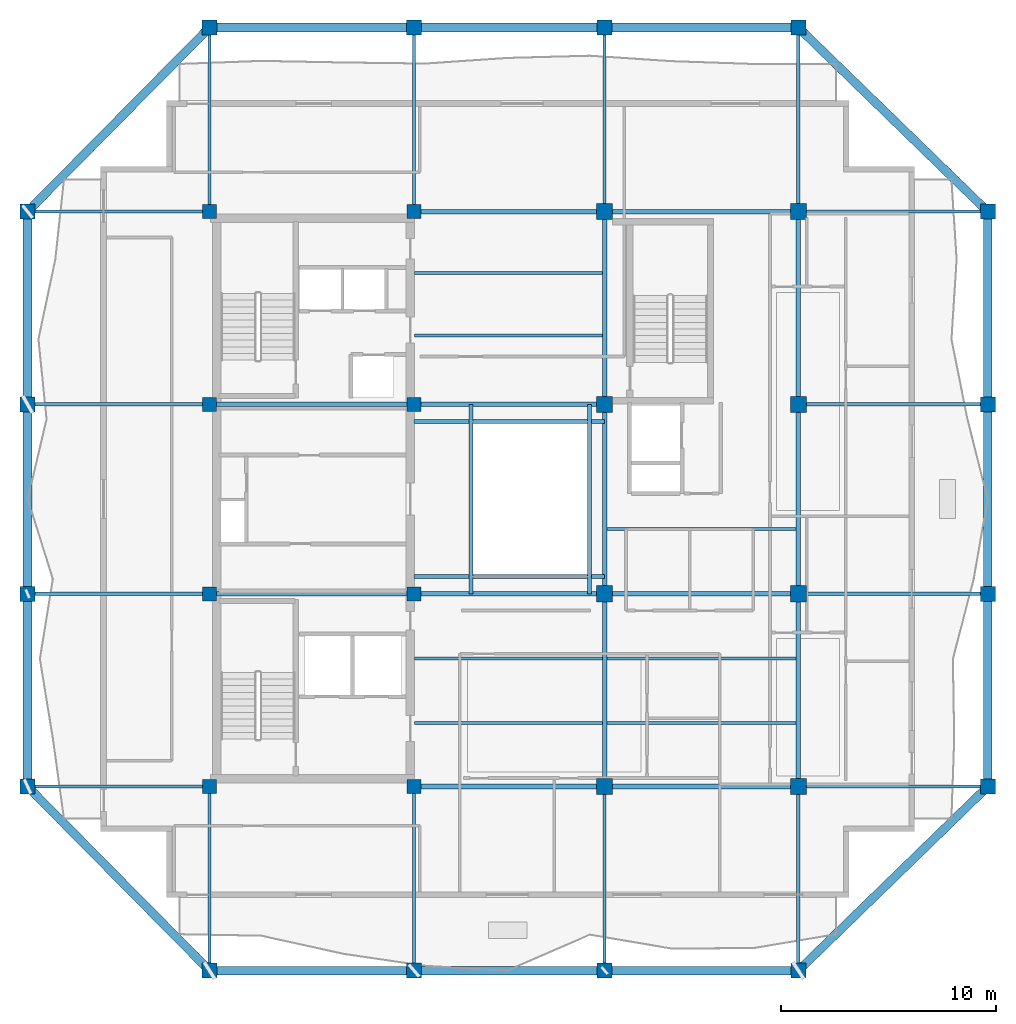
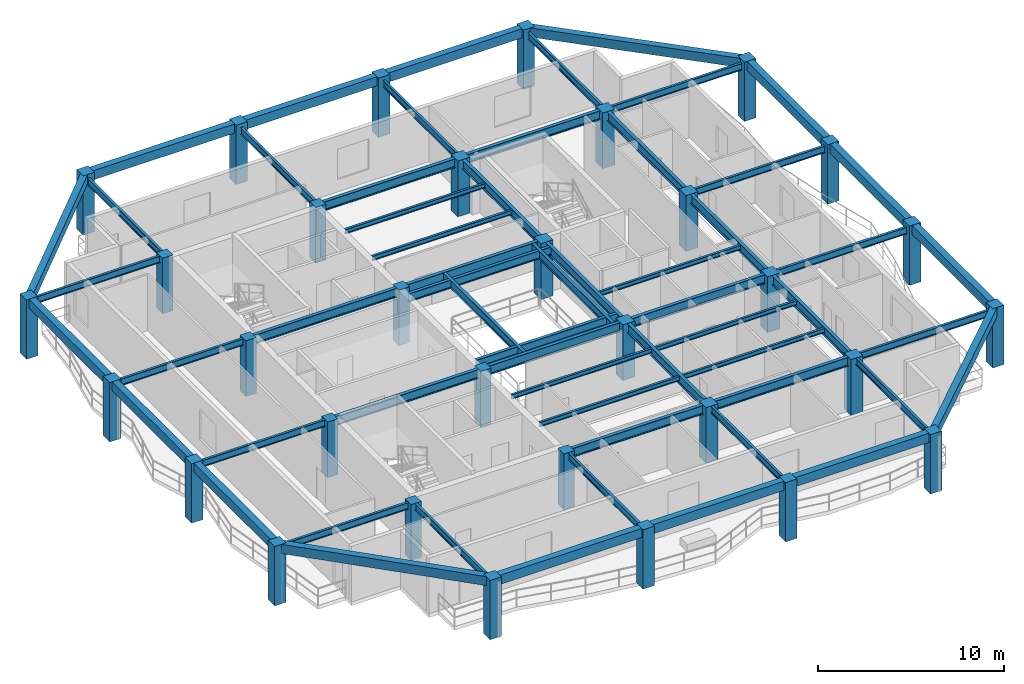
# One storey, part 1 of 10: 58 beams, 32 columns.
"""IFC4 building model written with IfcOpenShell, lengths in metres."""

from ifc_helpers import new_model, si_unit, direction, frame, origin, origin_2d, place, context, subcontext, project, spatial, rectangle, i_section, extrude, material, material_profile, profile_set, type_object, element, save


model = new_model("IFC4")

# Units and contexts
model_context = context("Model", 3, precision=1e-05, world=origin(), true_north=direction((0.0, 1.0)))
body_context = subcontext(model_context, "Body", "Model", "MODEL_VIEW")
ifc_project = project(units=[si_unit("LENGTHUNIT", "METRE"), si_unit("AREAUNIT", "SQUARE_METRE"), si_unit("VOLUMEUNIT", "CUBIC_METRE"), si_unit("PLANEANGLEUNIT", "RADIAN"), si_unit("MASSUNIT", "GRAM", prefix="KILO")], contexts=[model_context])

# Site, building, storey
site_placement = place(None, origin())
site = spatial("IfcSite", under=ifc_project, at=site_placement, CompositionType="ELEMENT")
building_placement = place(site_placement, origin())
building = spatial("IfcBuilding", under=site, at=building_placement, Name="Kundavana Baori Tower", CompositionType="ELEMENT")
storey_placement = place(building_placement, frame((0.0, 0.0, 280.39990234375)))
storey = spatial("IfcBuildingStorey", under=building, at=storey_placement, Name="L69", CompositionType="ELEMENT", Elevation=280.39990234375)

# Columns
ifc_material_1 = material(Name="Concrete C50/60", Category="concrete")
ifc_material_profile_1 = material_profile(ifc_material_1, rectangle(XDim=0.699951171875, YDim=0.699951171875, at=origin_2d()), Name="RC PF 700x700")
ifc_profile_set_1 = profile_set([ifc_material_profile_1], Name="Concrete C50/60")
column_type_1 = type_object("IfcColumnType", Name="COL-PF-700", PredefinedType="COLUMN", material=ifc_profile_set_1)
for number, where, z_axis, x_axis, name in (
    (1, (15.449951171875, 6.699951171875, 0.0), (0.0, 0.0, 1.0), (1.0, 0.0, 0.0), "L69 Stone-Clad Perimeter Frame Column PF-S1"),
    (2, (15.449951171875, 50.5, 0.0), (0.0, 0.0, 1.0), (1.0, 0.0, 0.0), "L69 Stone-Clad Perimeter Frame Column PF-N1"),
    (3, (24.949951171875, 6.699951171875, 0.0), (0.0, 0.0, 1.0), (1.0, 0.0, 0.0), "L69 Stone-Clad Perimeter Frame Column PF-S2"),
    (4, (24.949951171875, 50.5, 0.0), (0.0, 0.0, 1.0), (1.0, 0.0, 0.0), "L69 Stone-Clad Perimeter Frame Column PF-N2"),
    (5, (33.800048828125, 6.699951171875, 0.0), (0.0, 0.0, 1.0), (1.0, 0.0, 0.0), "L69 Stone-Clad Perimeter Frame Column PF-S3"),
    (6, (33.800048828125, 50.5, 0.0), (0.0, 0.0, 1.0), (1.0, 0.0, 0.0), "L69 Stone-Clad Perimeter Frame Column PF-N3"),
    (7, (42.800048828125, 6.699951171875, 0.0), (0.0, 0.0, 1.0), (1.0, 0.0, 0.0), "L69 Stone-Clad Perimeter Frame Column PF-S4"),
    (8, (42.800048828125, 50.5, 0.0), (0.0, 0.0, 1.0), (1.0, 0.0, 0.0), "L69 Stone-Clad Perimeter Frame Column PF-N4"),
    (9, (7.0, 15.25, 0.0), (0.0, 0.0, 1.0), (1.0, 0.0, 0.0), "L69 Stone-Clad Perimeter Frame Column PF-W1"),
    (10, (51.60009765625, 15.25, 0.0), (0.0, 0.0, 1.0), (1.0, 0.0, 0.0), "L69 Stone-Clad Perimeter Frame Column PF-E1"),
    (11, (7.0, 24.199951171875, 0.0), (0.0, 0.0, 1.0), (1.0, 0.0, 0.0), "L69 Stone-Clad Perimeter Frame Column PF-W2"),
    (12, (51.60009765625, 24.199951171875, 0.0), (0.0, 0.0, 1.0), (1.0, 0.0, 0.0), "L69 Stone-Clad Perimeter Frame Column PF-E2"),
    (13, (7.0, 33.0, 0.0), (0.0, 0.0, 1.0), (1.0, 0.0, 0.0), "L69 Stone-Clad Perimeter Frame Column PF-W3"),
    (14, (51.60009765625, 33.0, 0.0), (0.0, 0.0, 1.0), (1.0, 0.0, 0.0), "L69 Stone-Clad Perimeter Frame Column PF-E3"),
    (15, (7.0, 41.949951171875, 0.0), (0.0, 0.0, 1.0), (1.0, 0.0, 0.0), "L69 Stone-Clad Perimeter Frame Column PF-W4"),
    (16, (51.60009765625, 41.949951171875, 0.0), (0.0, 0.0, 1.0), (1.0, 0.0, 0.0), "L69 Stone-Clad Perimeter Frame Column PF-E4"),
):
    element("IfcColumn", number, at=place(storey_placement, frame(where, z_axis=z_axis, x_axis=x_axis)), inside=storey, type_object=column_type_1, Name=name, PredefinedType="COLUMN", context=body_context, shape_type="SweptSolid", body=[
        extrude(rectangle(XDim=0.699951171875, YDim=0.699951171875, at=origin_2d()), origin(), (0.0, 0.0, 1.0), 3.900146484375),
    ])
ifc_material_2 = material(Name="Concrete C50/60", Category="concrete")
ifc_material_profile_2 = material_profile(ifc_material_2, rectangle(XDim=0.64990234375, YDim=0.64990234375, at=origin_2d()), Name="RC 650x650")
ifc_profile_set_2 = profile_set([ifc_material_profile_2], Name="Concrete C50/60")
column_type_2 = type_object("IfcColumnType", Name="COL-RC-650", PredefinedType="COLUMN", material=ifc_profile_set_2)
for number, where, z_axis, x_axis, name in (
    (17, (15.449951171875, 15.25, 0.0), (0.0, 0.0, 1.0), (1.0, 0.0, 0.0), "L69 Interior Column IC-3C"),
    (18, (15.449951171875, 24.199951171875, 0.0), (0.0, 0.0, 1.0), (1.0, 0.0, 0.0), "L69 Interior Column IC-3D"),
    (19, (15.449951171875, 33.0, 0.0), (0.0, 0.0, 1.0), (1.0, 0.0, 0.0), "L69 Interior Column IC-3E"),
    (20, (15.449951171875, 41.949951171875, 0.0), (0.0, 0.0, 1.0), (1.0, 0.0, 0.0), "L69 Interior Column IC-3F"),
    (21, (24.949951171875, 15.25, 0.0), (0.0, 0.0, 1.0), (1.0, 0.0, 0.0), "L69 Interior Column IC-4C"),
    (22, (24.949951171875, 24.199951171875, 0.0), (0.0, 0.0, 1.0), (1.0, 0.0, 0.0), "L69 Interior Column IC-4D"),
    (23, (24.949951171875, 33.0, 0.0), (0.0, 0.0, 1.0), (1.0, 0.0, 0.0), "L69 Interior Column IC-4E"),
    (24, (24.949951171875, 41.949951171875, 0.0), (0.0, 0.0, 1.0), (1.0, 0.0, 0.0), "L69 Interior Column IC-4F"),
):
    element("IfcColumn", number, at=place(storey_placement, frame(where, z_axis=z_axis, x_axis=x_axis)), inside=storey, type_object=column_type_2, Name=name, PredefinedType="COLUMN", context=body_context, shape_type="SweptSolid", body=[
        extrude(rectangle(XDim=0.64990234375, YDim=0.64990234375, at=origin_2d()), origin(), (0.0, 0.0, 1.0), 3.66015625),
    ])
ifc_material_3 = material(Name="Concrete C50/60", Category="concrete")
ifc_material_profile_3 = material_profile(ifc_material_3, rectangle(XDim=0.75, YDim=0.75, at=origin_2d()), Name="RC 750x750")
ifc_profile_set_3 = profile_set([ifc_material_profile_3], Name="Concrete C50/60")
column_type_3 = type_object("IfcColumnType", Name="COL-RC-750", PredefinedType="COLUMN", material=ifc_profile_set_3)
for number, where, z_axis, x_axis, name in (
    (25, (33.800048828125, 15.25, 0.0), (0.0, 0.0, 1.0), (1.0, 0.0, 0.0), "L69 Interior Column IC-5C"),
    (26, (33.800048828125, 24.199951171875, 0.0), (0.0, 0.0, 1.0), (1.0, 0.0, 0.0), "L69 Interior Column IC-5D"),
    (27, (33.800048828125, 33.0, 0.0), (0.0, 0.0, 1.0), (1.0, 0.0, 0.0), "L69 Interior Column IC-5E"),
    (28, (33.800048828125, 41.949951171875, 0.0), (0.0, 0.0, 1.0), (1.0, 0.0, 0.0), "L69 Interior Column IC-5F"),
    (29, (42.800048828125, 15.25, 0.0), (0.0, 0.0, 1.0), (1.0, 0.0, 0.0), "L69 Interior Column IC-6C"),
    (30, (42.800048828125, 24.199951171875, 0.0), (0.0, 0.0, 1.0), (1.0, 0.0, 0.0), "L69 Interior Column IC-6D"),
    (31, (42.800048828125, 33.0, 0.0), (0.0, 0.0, 1.0), (1.0, 0.0, 0.0), "L69 Interior Column IC-6E"),
    (32, (42.800048828125, 41.949951171875, 0.0), (0.0, 0.0, 1.0), (1.0, 0.0, 0.0), "L69 Interior Column IC-6F"),
):
    element("IfcColumn", number, at=place(storey_placement, frame(where, z_axis=z_axis, x_axis=x_axis)), inside=storey, type_object=column_type_3, Name=name, PredefinedType="COLUMN", context=body_context, shape_type="SweptSolid", body=[
        extrude(rectangle(XDim=0.75, YDim=0.75, at=origin_2d()), origin(), (0.0, 0.0, 1.0), 3.66015625),
    ])

# Beams
ifc_material_4 = material(Name="Concrete C50/60", Category="concrete")
ifc_material_profile_4 = material_profile(ifc_material_4, rectangle(XDim=0.39990234375, YDim=0.60009765625, at=origin_2d()), Name="RC BM 400x600")
ifc_profile_set_4 = profile_set([ifc_material_profile_4], Name="Concrete C50/60")
beam_type_1 = type_object("IfcBeamType", Name="BM-PF-600", PredefinedType="SPANDREL", material=ifc_profile_set_4)
beam_1_placement = place(storey_placement, frame((15.449951171875, 6.699951171875, 3.60009765625), z_axis=(1.0, 0.0, 0.0), x_axis=(0.0, 1.0, 0.0)))
element("IfcBeam", 33, at=beam_1_placement, inside=storey, type_object=beam_type_1, Name="L69 Perimeter Frame Ring Beam S1", PredefinedType="SPANDREL", context=body_context, shape_type="SweptSolid", body=[
    extrude(rectangle(XDim=0.39990234375, YDim=0.60009765625, at=origin_2d()), origin(), (0.0, 0.0, 1.0), 9.5),
])
beam_2_placement = place(storey_placement, frame((24.949951171875, 6.699951171875, 3.60009765625), z_axis=(1.0, 0.0, 0.0), x_axis=(0.0, 1.0, 0.0)))
element("IfcBeam", 34, at=beam_2_placement, inside=storey, type_object=beam_type_1, Name="L69 Perimeter Frame Ring Beam S2", PredefinedType="SPANDREL", context=body_context, shape_type="SweptSolid", body=[
    extrude(rectangle(XDim=0.39990234375, YDim=0.60009765625, at=origin_2d()), origin(), (0.0, 0.0, 1.0), 8.85009765625),
])
beam_3_placement = place(storey_placement, frame((33.800048828125, 6.699951171875, 3.60009765625), z_axis=(1.0, 0.0, 0.0), x_axis=(0.0, 1.0, 0.0)))
element("IfcBeam", 35, at=beam_3_placement, inside=storey, type_object=beam_type_1, Name="L69 Perimeter Frame Ring Beam S3", PredefinedType="SPANDREL", context=body_context, shape_type="SweptSolid", body=[
    extrude(rectangle(XDim=0.39990234375, YDim=0.60009765625, at=origin_2d()), origin(), (0.0, 0.0, 1.0), 9.0),
])
beam_4_placement = place(storey_placement, frame((15.449951171875, 50.5, 3.60009765625), z_axis=(1.0, 0.0, 0.0), x_axis=(0.0, 1.0, 0.0)))
element("IfcBeam", 36, at=beam_4_placement, inside=storey, type_object=beam_type_1, Name="L69 Perimeter Frame Ring Beam N1", PredefinedType="SPANDREL", context=body_context, shape_type="SweptSolid", body=[
    extrude(rectangle(XDim=0.39990234375, YDim=0.60009765625, at=origin_2d()), origin(), (0.0, 0.0, 1.0), 9.5),
])
beam_5_placement = place(storey_placement, frame((24.949951171875, 50.5, 3.60009765625), z_axis=(1.0, 0.0, 0.0), x_axis=(0.0, 1.0, 0.0)))
element("IfcBeam", 37, at=beam_5_placement, inside=storey, type_object=beam_type_1, Name="L69 Perimeter Frame Ring Beam N2", PredefinedType="SPANDREL", context=body_context, shape_type="SweptSolid", body=[
    extrude(rectangle(XDim=0.39990234375, YDim=0.60009765625, at=origin_2d()), origin(), (0.0, 0.0, 1.0), 8.85009765625),
])
beam_6_placement = place(storey_placement, frame((33.800048828125, 50.5, 3.60009765625), z_axis=(1.0, 0.0, 0.0), x_axis=(0.0, 1.0, 0.0)))
element("IfcBeam", 38, at=beam_6_placement, inside=storey, type_object=beam_type_1, Name="L69 Perimeter Frame Ring Beam N3", PredefinedType="SPANDREL", context=body_context, shape_type="SweptSolid", body=[
    extrude(rectangle(XDim=0.39990234375, YDim=0.60009765625, at=origin_2d()), origin(), (0.0, 0.0, 1.0), 9.0),
])
beam_7_placement = place(storey_placement, frame((7.0, 15.25, 3.60009765625), z_axis=(0.0, 1.0, 0.0), x_axis=(-1.0, 0.0, 0.0)))
element("IfcBeam", 39, at=beam_7_placement, inside=storey, type_object=beam_type_1, Name="L69 Perimeter Frame Ring Beam W1", PredefinedType="SPANDREL", context=body_context, shape_type="SweptSolid", body=[
    extrude(rectangle(XDim=0.39990234375, YDim=0.60009765625, at=origin_2d()), origin(), (0.0, 0.0, 1.0), 8.949951171875),
])
beam_8_placement = place(storey_placement, frame((7.0, 24.199951171875, 3.60009765625), z_axis=(0.0, 1.0, 0.0), x_axis=(-1.0, 0.0, 0.0)))
element("IfcBeam", 40, at=beam_8_placement, inside=storey, type_object=beam_type_1, Name="L69 Perimeter Frame Ring Beam W2", PredefinedType="SPANDREL", context=body_context, shape_type="SweptSolid", body=[
    extrude(rectangle(XDim=0.39990234375, YDim=0.60009765625, at=origin_2d()), origin(), (0.0, 0.0, 1.0), 8.800048828125),
])
for number, where, z_axis, x_axis, name in (
    (41, (7.0, 33.0, 3.60009765625), (0.0, 1.0, 0.0), (-1.0, 0.0, 0.0), "L69 Perimeter Frame Ring Beam W3"),
    (42, (51.60009765625, 15.25, 3.60009765625), (0.0, 1.0, 0.0), (-1.0, 0.0, 0.0), "L69 Perimeter Frame Ring Beam E1"),
):
    element("IfcBeam", number, at=place(storey_placement, frame(where, z_axis=z_axis, x_axis=x_axis)), inside=storey, type_object=beam_type_1, Name=name, PredefinedType="SPANDREL", context=body_context, shape_type="SweptSolid", body=[
        extrude(rectangle(XDim=0.39990234375, YDim=0.60009765625, at=origin_2d()), origin(), (0.0, 0.0, 1.0), 8.949951171875),
    ])
beam_9_placement = place(storey_placement, frame((51.60009765625, 24.199951171875, 3.60009765625), z_axis=(0.0, 1.0, 0.0), x_axis=(-1.0, 0.0, 0.0)))
element("IfcBeam", 43, at=beam_9_placement, inside=storey, type_object=beam_type_1, Name="L69 Perimeter Frame Ring Beam E2", PredefinedType="SPANDREL", context=body_context, shape_type="SweptSolid", body=[
    extrude(rectangle(XDim=0.39990234375, YDim=0.60009765625, at=origin_2d()), origin(), (0.0, 0.0, 1.0), 8.800048828125),
])
beam_10_placement = place(storey_placement, frame((51.60009765625, 33.0, 3.60009765625), z_axis=(0.0, 1.0, 0.0), x_axis=(-1.0, 0.0, 0.0)))
element("IfcBeam", 44, at=beam_10_placement, inside=storey, type_object=beam_type_1, Name="L69 Perimeter Frame Ring Beam E3", PredefinedType="SPANDREL", context=body_context, shape_type="SweptSolid", body=[
    extrude(rectangle(XDim=0.39990234375, YDim=0.60009765625, at=origin_2d()), origin(), (0.0, 0.0, 1.0), 8.949951171875),
])
beam_11_placement = place(storey_placement, frame((15.449951171875, 6.699951171875, 3.60009765625), z_axis=(-0.702931082472, 0.711257965365, 0.0), x_axis=(-0.711257965365, -0.702931082472, 0.0)))
element("IfcBeam", 45, at=beam_11_placement, inside=storey, type_object=beam_type_1, Name="L69 Notched Corner Perimeter Beam SW", PredefinedType="SPANDREL", context=body_context, shape_type="SweptSolid", body=[
    extrude(rectangle(XDim=0.39990234375, YDim=0.60009765625, at=origin_2d()), origin(), (0.0, 0.0, 1.0), 12.02099609375),
])
beam_12_placement = place(storey_placement, frame((42.800048828125, 6.699951171875, 3.60009765625), z_axis=(0.717221130298, 0.696845643062, 0.0), x_axis=(-0.696845643062, 0.717221130298, 0.0)))
element("IfcBeam", 46, at=beam_12_placement, inside=storey, type_object=beam_type_1, Name="L69 Notched Corner Perimeter Beam SE", PredefinedType="SPANDREL", context=body_context, shape_type="SweptSolid", body=[
    extrude(rectangle(XDim=0.39990234375, YDim=0.60009765625, at=origin_2d()), origin(), (0.0, 0.0, 1.0), 12.26953125),
])
beam_13_placement = place(storey_placement, frame((15.449951171875, 50.5, 3.60009765625), z_axis=(-0.702931082472, -0.711257965365, 0.0), x_axis=(0.711257965365, -0.702931082472, 0.0)))
element("IfcBeam", 47, at=beam_13_placement, inside=storey, type_object=beam_type_1, Name="L69 Notched Corner Perimeter Beam NW", PredefinedType="SPANDREL", context=body_context, shape_type="SweptSolid", body=[
    extrude(rectangle(XDim=0.39990234375, YDim=0.60009765625, at=origin_2d()), origin(), (0.0, 0.0, 1.0), 12.02099609375),
])
beam_14_placement = place(storey_placement, frame((42.800048828125, 50.5, 3.60009765625), z_axis=(0.717221130298, -0.696845643062, 0.0), x_axis=(0.696845643062, 0.717221130298, 0.0)))
element("IfcBeam", 48, at=beam_14_placement, inside=storey, type_object=beam_type_1, Name="L69 Notched Corner Perimeter Beam NE", PredefinedType="SPANDREL", context=body_context, shape_type="SweptSolid", body=[
    extrude(rectangle(XDim=0.39990234375, YDim=0.60009765625, at=origin_2d()), origin(), (0.0, 0.0, 1.0), 12.26953125),
])
ifc_material_5 = material(Name="Structural Steel S355JR", Category="steel")
ifc_material_profile_5 = material_profile(ifc_material_5, i_section(OverallWidth=0.139892578125, OverallDepth=0.300048828125, WebThickness=0.0078125, FlangeThickness=0.01318359375, FilletRadius=0.013916015625, at=origin_2d()), Name="ISMB 300")
ifc_profile_set_5 = profile_set([ifc_material_profile_5], Name="Structural Steel S355JR")
beam_type_2 = type_object("IfcBeamType", Name="BM-RF-300", PredefinedType="BEAM", material=ifc_profile_set_5)
for number, where, z_axis, x_axis, name in (
    (49, (24.97998046875, 18.199951171875, 3.510009765625), (1.0, 0.0, 0.0), (0.0, 1.0, 0.0), "L69 Central Bay Composite Floor Joist C1"),
    (50, (24.97998046875, 21.199951171875, 3.510009765625), (1.0, 0.0, 0.0), (0.0, 1.0, 0.0), "L69 Central Bay Composite Floor Joist C2"),
    (51, (24.97998046875, 36.199951171875, 3.510009765625), (1.0, 0.0, 0.0), (0.0, 1.0, 0.0), "L69 Central Bay Composite Floor Joist C3"),
    (52, (24.97998046875, 39.10009765625, 3.510009765625), (1.0, 0.0, 0.0), (0.0, 1.0, 0.0), "L69 Central Bay Composite Floor Joist C4"),
):
    element("IfcBeam", number, at=place(storey_placement, frame(where, z_axis=z_axis, x_axis=x_axis)), inside=storey, type_object=beam_type_2, Name=name, PredefinedType="BEAM", context=body_context, shape_type="SweptSolid", body=[
        extrude(i_section(OverallWidth=0.139892578125, OverallDepth=0.300048828125, WebThickness=0.0078125, FlangeThickness=0.01318359375, FilletRadius=0.013916015625, at=origin_2d()), origin(), (0.0, 0.0, 1.0), 8.715087890625),
    ])
for number, where, z_axis, x_axis, name in (
    (53, (33.905029296875, 18.199951171875, 3.510009765625), (1.0, 0.0, 0.0), (0.0, 1.0, 0.0), "L69 East Bay Composite Floor Joist E1"),
    (54, (33.905029296875, 21.199951171875, 3.510009765625), (1.0, 0.0, 0.0), (0.0, 1.0, 0.0), "L69 East Bay Composite Floor Joist E2"),
    (55, (33.905029296875, 27.199951171875, 3.510009765625), (1.0, 0.0, 0.0), (0.0, 1.0, 0.0), "L69 East Bay Composite Floor Joist E3"),
):
    element("IfcBeam", number, at=place(storey_placement, frame(where, z_axis=z_axis, x_axis=x_axis)), inside=storey, type_object=beam_type_2, Name=name, PredefinedType="BEAM", context=body_context, shape_type="SweptSolid", body=[
        extrude(i_section(OverallWidth=0.139892578125, OverallDepth=0.300048828125, WebThickness=0.0078125, FlangeThickness=0.01318359375, FilletRadius=0.013916015625, at=origin_2d()), origin(), (0.0, 0.0, 1.0), 8.7900390625),
    ])
ifc_material_6 = material(Name="Structural Steel S355JR", Category="steel")
ifc_material_profile_6 = material_profile(ifc_material_6, i_section(OverallWidth=0.18994140625, OverallDepth=0.550048828125, WebThickness=0.01123046875, FlangeThickness=0.019287109375, FilletRadius=0.01806640625, at=origin_2d()), Name="ISMB 550")
ifc_profile_set_6 = profile_set([ifc_material_profile_6], Name="Structural Steel S355JR")
beam_type_3 = type_object("IfcBeamType", Name="BM-ST-550", PredefinedType="BEAM", material=ifc_profile_set_6)
for number, where, z_axis, x_axis, name in (
    (56, (27.60009765625, 24.199951171875, 3.385009765625), (0.0, 1.0, 0.0), (-1.0, 0.0, 0.0), "L69 Atrium West Edge Beam"),
    (57, (33.10009765625, 24.199951171875, 3.385009765625), (0.0, 1.0, 0.0), (-1.0, 0.0, 0.0), "L69 Atrium East Edge Beam"),
):
    element("IfcBeam", number, at=place(storey_placement, frame(where, z_axis=z_axis, x_axis=x_axis)), inside=storey, type_object=beam_type_3, Name=name, PredefinedType="BEAM", context=body_context, shape_type="SweptSolid", body=[
        extrude(i_section(OverallWidth=0.18994140625, OverallDepth=0.550048828125, WebThickness=0.01123046875, FlangeThickness=0.019287109375, FilletRadius=0.01806640625, at=origin_2d()), origin(), (0.0, 0.0, 1.0), 8.800048828125),
    ])
for number, where, z_axis, x_axis, name in (
    (58, (24.949951171875, 25.0, 3.385009765625), (1.0, 0.0, 0.0), (0.0, 1.0, 0.0), "L69 Atrium South Edge Beam"),
    (59, (24.949951171875, 32.199951171875, 3.385009765625), (1.0, 0.0, 0.0), (0.0, 1.0, 0.0), "L69 Atrium North Edge Beam"),
):
    element("IfcBeam", number, at=place(storey_placement, frame(where, z_axis=z_axis, x_axis=x_axis)), inside=storey, type_object=beam_type_3, Name=name, PredefinedType="BEAM", context=body_context, shape_type="SweptSolid", body=[
        extrude(i_section(OverallWidth=0.18994140625, OverallDepth=0.550048828125, WebThickness=0.01123046875, FlangeThickness=0.019287109375, FilletRadius=0.01806640625, at=origin_2d()), origin(), (0.0, 0.0, 1.0), 8.85009765625),
    ])
ifc_material_7 = material(Name="Structural Steel S355JR", Category="steel")
ifc_material_profile_7 = material_profile(ifc_material_7, i_section(OverallWidth=0.2099609375, OverallDepth=0.60009765625, WebThickness=0.011962890625, FlangeThickness=0.020751953125, FilletRadius=0.02001953125, at=origin_2d()), Name="ISMB 600")
ifc_profile_set_7 = profile_set([ifc_material_profile_7], Name="Structural Steel S355JR")
beam_type_4 = type_object("IfcBeamType", Name="BM-ST-600", PredefinedType="BEAM", material=ifc_profile_set_7)
beam_15_placement = place(storey_placement, frame((24.949951171875, 15.25, 3.360107421875), z_axis=(1.0, 0.0, 0.0), x_axis=(0.0, 1.0, 0.0)))
element("IfcBeam", 60, at=beam_15_placement, inside=storey, type_object=beam_type_4, Name="L69 Primary Grid Girder GX-1-2", PredefinedType="BEAM", context=body_context, shape_type="SweptSolid", body=[
    extrude(i_section(OverallWidth=0.2099609375, OverallDepth=0.60009765625, WebThickness=0.011962890625, FlangeThickness=0.020751953125, FilletRadius=0.02001953125, at=origin_2d()), origin(), (0.0, 0.0, 1.0), 8.85009765625),
])
beam_16_placement = place(storey_placement, frame((33.800048828125, 15.25, 3.360107421875), z_axis=(1.0, 0.0, 0.0), x_axis=(0.0, 1.0, 0.0)))
element("IfcBeam", 61, at=beam_16_placement, inside=storey, type_object=beam_type_4, Name="L69 Primary Grid Girder GX-1-3", PredefinedType="BEAM", context=body_context, shape_type="SweptSolid", body=[
    extrude(i_section(OverallWidth=0.2099609375, OverallDepth=0.60009765625, WebThickness=0.011962890625, FlangeThickness=0.020751953125, FilletRadius=0.02001953125, at=origin_2d()), origin(), (0.0, 0.0, 1.0), 9.0),
])
beam_17_placement = place(storey_placement, frame((15.449951171875, 24.199951171875, 3.360107421875), z_axis=(1.0, 0.0, 0.0), x_axis=(0.0, 1.0, 0.0)))
element("IfcBeam", 62, at=beam_17_placement, inside=storey, type_object=beam_type_4, Name="L69 Primary Grid Girder GX-2-1", PredefinedType="BEAM", context=body_context, shape_type="SweptSolid", body=[
    extrude(i_section(OverallWidth=0.2099609375, OverallDepth=0.60009765625, WebThickness=0.011962890625, FlangeThickness=0.020751953125, FilletRadius=0.02001953125, at=origin_2d()), origin(), (0.0, 0.0, 1.0), 9.5),
])
beam_18_placement = place(storey_placement, frame((24.949951171875, 24.199951171875, 3.360107421875), z_axis=(1.0, 0.0, 0.0), x_axis=(0.0, 1.0, 0.0)))
element("IfcBeam", 63, at=beam_18_placement, inside=storey, type_object=beam_type_4, Name="L69 Primary Grid Girder GX-2-2", PredefinedType="BEAM", context=body_context, shape_type="SweptSolid", body=[
    extrude(i_section(OverallWidth=0.2099609375, OverallDepth=0.60009765625, WebThickness=0.011962890625, FlangeThickness=0.020751953125, FilletRadius=0.02001953125, at=origin_2d()), origin(), (0.0, 0.0, 1.0), 8.85009765625),
])
beam_19_placement = place(storey_placement, frame((33.800048828125, 24.199951171875, 3.360107421875), z_axis=(1.0, 0.0, 0.0), x_axis=(0.0, 1.0, 0.0)))
element("IfcBeam", 64, at=beam_19_placement, inside=storey, type_object=beam_type_4, Name="L69 Primary Grid Girder GX-2-3", PredefinedType="BEAM", context=body_context, shape_type="SweptSolid", body=[
    extrude(i_section(OverallWidth=0.2099609375, OverallDepth=0.60009765625, WebThickness=0.011962890625, FlangeThickness=0.020751953125, FilletRadius=0.02001953125, at=origin_2d()), origin(), (0.0, 0.0, 1.0), 9.0),
])
beam_20_placement = place(storey_placement, frame((15.449951171875, 33.0, 3.360107421875), z_axis=(1.0, 0.0, 0.0), x_axis=(0.0, 1.0, 0.0)))
element("IfcBeam", 65, at=beam_20_placement, inside=storey, type_object=beam_type_4, Name="L69 Primary Grid Girder GX-3-1", PredefinedType="BEAM", context=body_context, shape_type="SweptSolid", body=[
    extrude(i_section(OverallWidth=0.2099609375, OverallDepth=0.60009765625, WebThickness=0.011962890625, FlangeThickness=0.020751953125, FilletRadius=0.02001953125, at=origin_2d()), origin(), (0.0, 0.0, 1.0), 9.5),
])
for number, where, z_axis, x_axis, name in (
    (66, (24.949951171875, 33.0, 3.360107421875), (1.0, 0.0, 0.0), (0.0, 1.0, 0.0), "L69 Primary Grid Girder GX-3-2"),
    (67, (24.949951171875, 41.949951171875, 3.360107421875), (1.0, 0.0, 0.0), (0.0, 1.0, 0.0), "L69 Primary Grid Girder GX-4-2"),
):
    element("IfcBeam", number, at=place(storey_placement, frame(where, z_axis=z_axis, x_axis=x_axis)), inside=storey, type_object=beam_type_4, Name=name, PredefinedType="BEAM", context=body_context, shape_type="SweptSolid", body=[
        extrude(i_section(OverallWidth=0.2099609375, OverallDepth=0.60009765625, WebThickness=0.011962890625, FlangeThickness=0.020751953125, FilletRadius=0.02001953125, at=origin_2d()), origin(), (0.0, 0.0, 1.0), 8.85009765625),
    ])
beam_21_placement = place(storey_placement, frame((33.800048828125, 41.949951171875, 3.360107421875), z_axis=(1.0, 0.0, 0.0), x_axis=(0.0, 1.0, 0.0)))
element("IfcBeam", 68, at=beam_21_placement, inside=storey, type_object=beam_type_4, Name="L69 Primary Grid Girder GX-4-3", PredefinedType="BEAM", context=body_context, shape_type="SweptSolid", body=[
    extrude(i_section(OverallWidth=0.2099609375, OverallDepth=0.60009765625, WebThickness=0.011962890625, FlangeThickness=0.020751953125, FilletRadius=0.02001953125, at=origin_2d()), origin(), (0.0, 0.0, 1.0), 9.0),
])
beam_22_placement = place(storey_placement, frame((33.800048828125, 15.25, 3.360107421875), z_axis=(0.0, 1.0, 0.0), x_axis=(-1.0, 0.0, 0.0)))
element("IfcBeam", 69, at=beam_22_placement, inside=storey, type_object=beam_type_4, Name="L69 Primary Grid Girder GY-3-1", PredefinedType="BEAM", context=body_context, shape_type="SweptSolid", body=[
    extrude(i_section(OverallWidth=0.2099609375, OverallDepth=0.60009765625, WebThickness=0.011962890625, FlangeThickness=0.020751953125, FilletRadius=0.02001953125, at=origin_2d()), origin(), (0.0, 0.0, 1.0), 8.949951171875),
])
beam_23_placement = place(storey_placement, frame((33.800048828125, 24.199951171875, 3.360107421875), z_axis=(0.0, 1.0, 0.0), x_axis=(-1.0, 0.0, 0.0)))
element("IfcBeam", 70, at=beam_23_placement, inside=storey, type_object=beam_type_4, Name="L69 Primary Grid Girder GY-3-2", PredefinedType="BEAM", context=body_context, shape_type="SweptSolid", body=[
    extrude(i_section(OverallWidth=0.2099609375, OverallDepth=0.60009765625, WebThickness=0.011962890625, FlangeThickness=0.020751953125, FilletRadius=0.02001953125, at=origin_2d()), origin(), (0.0, 0.0, 1.0), 8.800048828125),
])
for number, where, z_axis, x_axis, name in (
    (71, (33.800048828125, 33.0, 3.360107421875), (0.0, 1.0, 0.0), (-1.0, 0.0, 0.0), "L69 Primary Grid Girder GY-3-3"),
    (72, (42.800048828125, 15.25, 3.360107421875), (0.0, 1.0, 0.0), (-1.0, 0.0, 0.0), "L69 Primary Grid Girder GY-4-1"),
):
    element("IfcBeam", number, at=place(storey_placement, frame(where, z_axis=z_axis, x_axis=x_axis)), inside=storey, type_object=beam_type_4, Name=name, PredefinedType="BEAM", context=body_context, shape_type="SweptSolid", body=[
        extrude(i_section(OverallWidth=0.2099609375, OverallDepth=0.60009765625, WebThickness=0.011962890625, FlangeThickness=0.020751953125, FilletRadius=0.02001953125, at=origin_2d()), origin(), (0.0, 0.0, 1.0), 8.949951171875),
    ])
beam_24_placement = place(storey_placement, frame((42.800048828125, 24.199951171875, 3.360107421875), z_axis=(0.0, 1.0, 0.0), x_axis=(-1.0, 0.0, 0.0)))
element("IfcBeam", 73, at=beam_24_placement, inside=storey, type_object=beam_type_4, Name="L69 Primary Grid Girder GY-4-2", PredefinedType="BEAM", context=body_context, shape_type="SweptSolid", body=[
    extrude(i_section(OverallWidth=0.2099609375, OverallDepth=0.60009765625, WebThickness=0.011962890625, FlangeThickness=0.020751953125, FilletRadius=0.02001953125, at=origin_2d()), origin(), (0.0, 0.0, 1.0), 8.800048828125),
])
beam_25_placement = place(storey_placement, frame((42.800048828125, 33.0, 3.360107421875), z_axis=(0.0, 1.0, 0.0), x_axis=(-1.0, 0.0, 0.0)))
element("IfcBeam", 74, at=beam_25_placement, inside=storey, type_object=beam_type_4, Name="L69 Primary Grid Girder GY-4-3", PredefinedType="BEAM", context=body_context, shape_type="SweptSolid", body=[
    extrude(i_section(OverallWidth=0.2099609375, OverallDepth=0.60009765625, WebThickness=0.011962890625, FlangeThickness=0.020751953125, FilletRadius=0.02001953125, at=origin_2d()), origin(), (0.0, 0.0, 1.0), 8.949951171875),
])
ifc_material_8 = material(Name="Structural Steel S355JR", Category="steel")
ifc_material_profile_8 = material_profile(ifc_material_8, i_section(OverallWidth=0.14990234375, OverallDepth=0.449951171875, WebThickness=0.009521484375, FlangeThickness=0.017333984375, FilletRadius=0.014892578125, at=origin_2d()), Name="ISMB 450")
ifc_profile_set_8 = profile_set([ifc_material_profile_8], Name="Structural Steel S355JR")
beam_type_5 = type_object("IfcBeamType", Name="BM-TIE-450", PredefinedType="BEAM", material=ifc_profile_set_8)
for number, where, z_axis, x_axis, name in (
    (75, (15.449951171875, 15.25, 3.43505859375), (0.0, -1.0, 0.0), (1.0, 0.0, 0.0), "L69 South Radial Loggia Tie Beam S1"),
    (76, (15.449951171875, 41.949951171875, 3.43505859375), (0.0, 1.0, 0.0), (-1.0, 0.0, 0.0), "L69 North Radial Loggia Tie Beam N1"),
    (77, (24.949951171875, 15.25, 3.43505859375), (0.0, -1.0, 0.0), (1.0, 0.0, 0.0), "L69 South Radial Loggia Tie Beam S2"),
    (78, (24.949951171875, 41.949951171875, 3.43505859375), (0.0, 1.0, 0.0), (-1.0, 0.0, 0.0), "L69 North Radial Loggia Tie Beam N2"),
    (79, (33.800048828125, 15.25, 3.43505859375), (0.0, -1.0, 0.0), (1.0, 0.0, 0.0), "L69 South Radial Loggia Tie Beam S3"),
    (80, (33.800048828125, 41.949951171875, 3.43505859375), (0.0, 1.0, 0.0), (-1.0, 0.0, 0.0), "L69 North Radial Loggia Tie Beam N3"),
    (81, (42.800048828125, 15.25, 3.43505859375), (0.0, -1.0, 0.0), (1.0, 0.0, 0.0), "L69 South Radial Loggia Tie Beam S4"),
    (82, (42.800048828125, 41.949951171875, 3.43505859375), (0.0, 1.0, 0.0), (-1.0, 0.0, 0.0), "L69 North Radial Loggia Tie Beam N4"),
):
    element("IfcBeam", number, at=place(storey_placement, frame(where, z_axis=z_axis, x_axis=x_axis)), inside=storey, type_object=beam_type_5, Name=name, PredefinedType="BEAM", context=body_context, shape_type="SweptSolid", body=[
        extrude(i_section(OverallWidth=0.14990234375, OverallDepth=0.449951171875, WebThickness=0.009521484375, FlangeThickness=0.017333984375, FilletRadius=0.014892578125, at=origin_2d()), origin(), (0.0, 0.0, 1.0), 8.550048828125),
    ])
beam_26_placement = place(storey_placement, frame((15.449951171875, 15.25, 3.43505859375), z_axis=(-1.0, 0.0, 0.0), x_axis=(0.0, -1.0, 0.0)))
element("IfcBeam", 83, at=beam_26_placement, inside=storey, type_object=beam_type_5, Name="L69 West Radial Loggia Tie Beam W1", PredefinedType="BEAM", context=body_context, shape_type="SweptSolid", body=[
    extrude(i_section(OverallWidth=0.14990234375, OverallDepth=0.449951171875, WebThickness=0.009521484375, FlangeThickness=0.017333984375, FilletRadius=0.014892578125, at=origin_2d()), origin(), (0.0, 0.0, 1.0), 8.449951171875),
])
beam_27_placement = place(storey_placement, frame((42.800048828125, 15.25, 3.43505859375), z_axis=(1.0, 0.0, 0.0), x_axis=(0.0, 1.0, 0.0)))
element("IfcBeam", 84, at=beam_27_placement, inside=storey, type_object=beam_type_5, Name="L69 East Radial Loggia Tie Beam E1", PredefinedType="BEAM", context=body_context, shape_type="SweptSolid", body=[
    extrude(i_section(OverallWidth=0.14990234375, OverallDepth=0.449951171875, WebThickness=0.009521484375, FlangeThickness=0.017333984375, FilletRadius=0.014892578125, at=origin_2d()), origin(), (0.0, 0.0, 1.0), 8.800048828125),
])
beam_28_placement = place(storey_placement, frame((15.449951171875, 24.199951171875, 3.43505859375), z_axis=(-1.0, 0.0, 0.0), x_axis=(0.0, -1.0, 0.0)))
element("IfcBeam", 85, at=beam_28_placement, inside=storey, type_object=beam_type_5, Name="L69 West Radial Loggia Tie Beam W2", PredefinedType="BEAM", context=body_context, shape_type="SweptSolid", body=[
    extrude(i_section(OverallWidth=0.14990234375, OverallDepth=0.449951171875, WebThickness=0.009521484375, FlangeThickness=0.017333984375, FilletRadius=0.014892578125, at=origin_2d()), origin(), (0.0, 0.0, 1.0), 8.449951171875),
])
beam_29_placement = place(storey_placement, frame((42.800048828125, 24.199951171875, 3.43505859375), z_axis=(1.0, 0.0, 0.0), x_axis=(0.0, 1.0, 0.0)))
element("IfcBeam", 86, at=beam_29_placement, inside=storey, type_object=beam_type_5, Name="L69 East Radial Loggia Tie Beam E2", PredefinedType="BEAM", context=body_context, shape_type="SweptSolid", body=[
    extrude(i_section(OverallWidth=0.14990234375, OverallDepth=0.449951171875, WebThickness=0.009521484375, FlangeThickness=0.017333984375, FilletRadius=0.014892578125, at=origin_2d()), origin(), (0.0, 0.0, 1.0), 8.800048828125),
])
beam_30_placement = place(storey_placement, frame((15.449951171875, 33.0, 3.43505859375), z_axis=(-1.0, 0.0, 0.0), x_axis=(0.0, -1.0, 0.0)))
element("IfcBeam", 87, at=beam_30_placement, inside=storey, type_object=beam_type_5, Name="L69 West Radial Loggia Tie Beam W3", PredefinedType="BEAM", context=body_context, shape_type="SweptSolid", body=[
    extrude(i_section(OverallWidth=0.14990234375, OverallDepth=0.449951171875, WebThickness=0.009521484375, FlangeThickness=0.017333984375, FilletRadius=0.014892578125, at=origin_2d()), origin(), (0.0, 0.0, 1.0), 8.449951171875),
])
beam_31_placement = place(storey_placement, frame((42.800048828125, 33.0, 3.43505859375), z_axis=(1.0, 0.0, 0.0), x_axis=(0.0, 1.0, 0.0)))
element("IfcBeam", 88, at=beam_31_placement, inside=storey, type_object=beam_type_5, Name="L69 East Radial Loggia Tie Beam E3", PredefinedType="BEAM", context=body_context, shape_type="SweptSolid", body=[
    extrude(i_section(OverallWidth=0.14990234375, OverallDepth=0.449951171875, WebThickness=0.009521484375, FlangeThickness=0.017333984375, FilletRadius=0.014892578125, at=origin_2d()), origin(), (0.0, 0.0, 1.0), 8.800048828125),
])
beam_32_placement = place(storey_placement, frame((15.449951171875, 41.949951171875, 3.43505859375), z_axis=(-1.0, 0.0, 0.0), x_axis=(0.0, -1.0, 0.0)))
element("IfcBeam", 89, at=beam_32_placement, inside=storey, type_object=beam_type_5, Name="L69 West Radial Loggia Tie Beam W4", PredefinedType="BEAM", context=body_context, shape_type="SweptSolid", body=[
    extrude(i_section(OverallWidth=0.14990234375, OverallDepth=0.449951171875, WebThickness=0.009521484375, FlangeThickness=0.017333984375, FilletRadius=0.014892578125, at=origin_2d()), origin(), (0.0, 0.0, 1.0), 8.449951171875),
])
beam_33_placement = place(storey_placement, frame((42.800048828125, 41.949951171875, 3.43505859375), z_axis=(1.0, 0.0, 0.0), x_axis=(0.0, 1.0, 0.0)))
element("IfcBeam", 90, at=beam_33_placement, inside=storey, type_object=beam_type_5, Name="L69 East Radial Loggia Tie Beam E4", PredefinedType="BEAM", context=body_context, shape_type="SweptSolid", body=[
    extrude(i_section(OverallWidth=0.14990234375, OverallDepth=0.449951171875, WebThickness=0.009521484375, FlangeThickness=0.017333984375, FilletRadius=0.014892578125, at=origin_2d()), origin(), (0.0, 0.0, 1.0), 8.800048828125),
])

save(model, "model.ifc")
